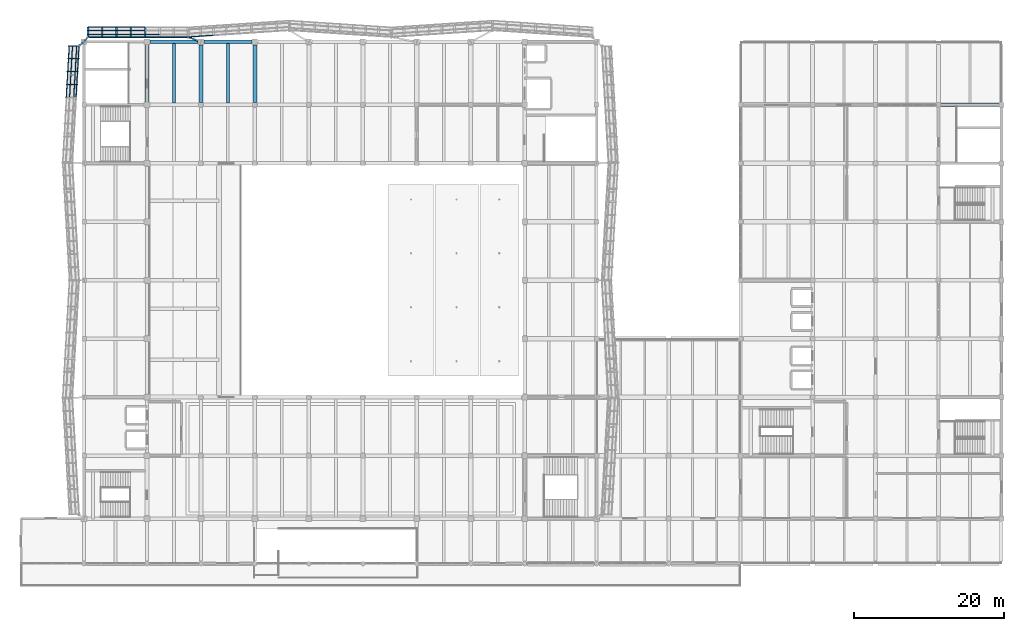
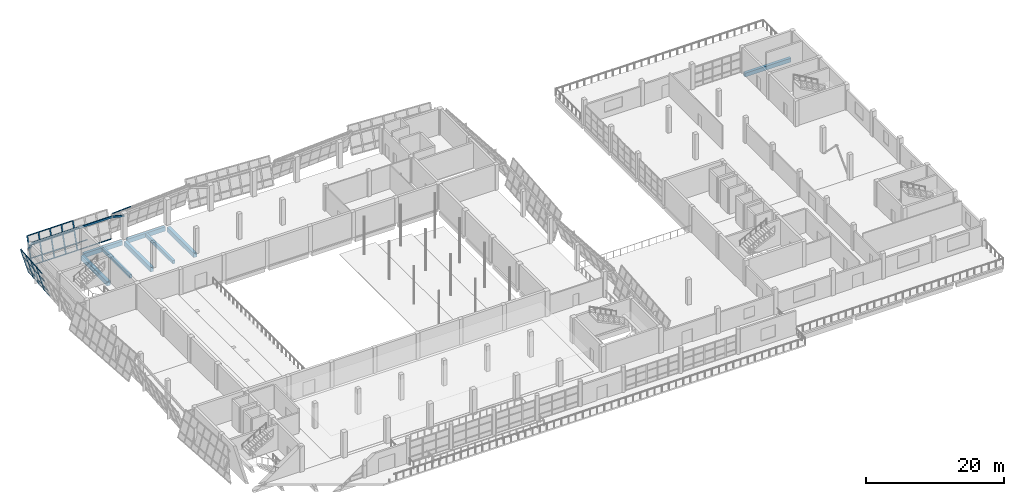
# One storey, part 32 of 71: 47 members, 12 beams, 3 elements without a shape of their own.
"""IFC4 building model written with IfcOpenShell, lengths in metres."""

from ifc_helpers import new_model, si_unit, direction, frame, origin, origin_2d, place, context, subcontext, project, spatial, rectangle, hollow_rectangle, extrude, material, material_profile, profile_set, type_object, element, aggregate, save


model = new_model("IFC4")

# Units and contexts
model_context = context("Model", 3, precision=1e-05, world=origin(), true_north=direction((0.0, 1.0)))
body_context = subcontext(model_context, "Body", "Model", "MODEL_VIEW")
ifc_project = project(units=[si_unit("LENGTHUNIT", "METRE"), si_unit("AREAUNIT", "SQUARE_METRE"), si_unit("VOLUMEUNIT", "CUBIC_METRE"), si_unit("PLANEANGLEUNIT", "RADIAN"), si_unit("MASSUNIT", "GRAM", prefix="KILO")], contexts=[model_context])

# Site, building, storey
site_placement = place(None, origin())
site = spatial("IfcSite", under=ifc_project, at=site_placement, CompositionType="ELEMENT")
building_placement = place(site_placement, origin())
building = spatial("IfcBuilding", under=site, at=building_placement, Name="Pellamere Symphony Hall", CompositionType="ELEMENT")
storey_placement = place(building_placement, frame((0.0, 0.0, 15.0)))
storey = spatial("IfcBuildingStorey", under=building, at=storey_placement, Name="L03", CompositionType="ELEMENT", Elevation=15.0)

# Curtain wall, members
ifc_material_1 = material(Name="Thermally Broken Anodised Aluminium 6063-T6 Curtain Wall", Category="aluminium")
curtain_wall_type = type_object("IfcCurtainWallType", Name="Curtain Wall CW-01 (Tilted Faceted Crystal Low-Iron Curtain Wall)", PredefinedType="NOTDEFINED", material=ifc_material_1)
curtain_wall_1_placement = place(storey_placement, origin())
curtain_wall_1 = element("IfcCurtainWall", 1, at=curtain_wall_1_placement, inside=storey, type_object=curtain_wall_type, Name="Crystal Faceted Curtain Wall CW-CR14 (L03)", PredefinedType="NOTDEFINED")
ifc_material_2 = material(Name="Anodised Architectural Aluminium 6063-T6", Category="aluminium")
ifc_material_profile_1 = material_profile(ifc_material_2, hollow_rectangle(XDim=0.074951171875, YDim=0.219970703125, WallThickness=0.0048828125, at=origin_2d()), Name="ALU-M75X220X5")
ifc_profile_set_1 = profile_set([ifc_material_profile_1], Name="Anodised Architectural Aluminium 6063-T6")
member_type_1 = type_object("IfcMemberType", Name="Curtain Wall Mullion ML-01 ALU-M75X220X5", PredefinedType="MULLION", material=ifc_profile_set_1)
member_1_placement = place(storey_placement, frame((58.55712890625, 94.25, 0.0), z_axis=(0.0, 0.284024567884, 0.95881700279), x_axis=(0.0, 0.95881700279, -0.284024567884)))
member_1 = element("IfcMember", 2, at=member_1_placement, type_object=member_type_1, Name="CW1-035 crystal mullion 4", PredefinedType="MULLION", context=body_context, shape_type="SweptSolid", body=[
    extrude(hollow_rectangle(XDim=0.074951171875, YDim=0.219970703125, WallThickness=0.0048828125, at=origin_2d()), origin(), (0.0, 0.0, 1.0), 4.693359375),
])
member_2_placement = place(storey_placement, frame((56.642822265625, 94.25, 0.0), z_axis=(0.0, 0.284024567884, 0.95881700279), x_axis=(0.0, 0.95881700279, -0.284024567884)))
member_2 = element("IfcMember", 3, at=member_2_placement, type_object=member_type_1, Name="CW1-035 crystal mullion 5", PredefinedType="MULLION", context=body_context, shape_type="SweptSolid", body=[
    extrude(hollow_rectangle(XDim=0.074951171875, YDim=0.219970703125, WallThickness=0.0048828125, at=origin_2d()), origin(), (0.0, 0.0, 1.0), 4.693359375),
])
member_3_placement = place(storey_placement, frame((54.728515625, 94.25, 0.0), z_axis=(0.0, 0.284024567884, 0.95881700279), x_axis=(0.0, 0.95881700279, -0.284024567884)))
member_3 = element("IfcMember", 4, at=member_3_placement, type_object=member_type_1, Name="CW1-035 crystal mullion 6", PredefinedType="MULLION", context=body_context, shape_type="SweptSolid", body=[
    extrude(hollow_rectangle(XDim=0.074951171875, YDim=0.219970703125, WallThickness=0.0048828125, at=origin_2d()), origin(), (0.0, 0.0, 1.0), 4.693359375),
])
member_4_placement = place(storey_placement, frame((52.814208984375, 94.25, 0.0), z_axis=(0.0, 0.284024567884, 0.95881700279), x_axis=(0.0, 0.95881700279, -0.284024567884)))
member_4 = element("IfcMember", 5, at=member_4_placement, type_object=member_type_1, Name="CW1-035 crystal mullion 7", PredefinedType="MULLION", context=body_context, shape_type="SweptSolid", body=[
    extrude(hollow_rectangle(XDim=0.074951171875, YDim=0.219970703125, WallThickness=0.0048828125, at=origin_2d()), origin(), (0.0, 0.0, 1.0), 4.693359375),
])
member_5_placement = place(storey_placement, frame((50.9375, 94.25, 0.0), z_axis=(0.0, 0.284024567884, 0.95881700279), x_axis=(0.0, 0.95881700279, -0.284024567884)))
member_5 = element("IfcMember", 6, at=member_5_placement, type_object=member_type_1, Name="CW1-035 crystal mullion 8", PredefinedType="MULLION", context=body_context, shape_type="SweptSolid", body=[
    extrude(hollow_rectangle(XDim=0.074951171875, YDim=0.219970703125, WallThickness=0.0048828125, at=origin_2d()), origin(), (0.0, 0.0, 1.0), 4.693359375),
])

curtain_wall_2_placement = place(storey_placement, origin())
curtain_wall_2 = element("IfcCurtainWall", 7, at=curtain_wall_2_placement, inside=storey, type_object=curtain_wall_type, Name="Crystal Faceted Curtain Wall CW-CR15 (L03)", PredefinedType="NOTDEFINED")
member_6_placement = place(storey_placement, frame((49.747802734375, 93.0625, 0.0), z_axis=(-0.284024567884, 0.0, 0.95881700279), x_axis=(-0.055224537145, -0.998339941676, -0.01635883099)))
member_6 = element("IfcMember", 8, at=member_6_placement, type_object=member_type_1, Name="CW1-040 crystal mullion 1", PredefinedType="MULLION", context=body_context, shape_type="SweptSolid", body=[
    extrude(hollow_rectangle(XDim=0.074951171875, YDim=0.219970703125, WallThickness=0.0048828125, at=origin_2d()), origin(), (0.0, 0.0, 1.0), 4.693359375),
])
member_7_placement = place(storey_placement, frame((49.64990234375, 91.36669921875, 0.0), z_axis=(-0.284024567884, 0.0, 0.95881700279), x_axis=(-0.055224537145, -0.998339941676, -0.01635883099)))
member_7 = element("IfcMember", 9, at=member_7_placement, type_object=member_type_1, Name="CW1-040 crystal mullion 2", PredefinedType="MULLION", context=body_context, shape_type="SweptSolid", body=[
    extrude(hollow_rectangle(XDim=0.074951171875, YDim=0.219970703125, WallThickness=0.0048828125, at=origin_2d()), origin(), (0.0, 0.0, 1.0), 4.693359375),
])
member_8_placement = place(storey_placement, frame((49.550048828125, 89.63330078125, 0.0), z_axis=(-0.284024567884, 0.0, 0.95881700279), x_axis=(-0.055224537145, -0.998339941676, -0.01635883099)))
member_8 = element("IfcMember", 10, at=member_8_placement, type_object=member_type_1, Name="CW1-040 crystal mullion 3", PredefinedType="MULLION", context=body_context, shape_type="SweptSolid", body=[
    extrude(hollow_rectangle(XDim=0.074951171875, YDim=0.219970703125, WallThickness=0.0048828125, at=origin_2d()), origin(), (0.0, 0.0, 1.0), 4.693359375),
])
member_9_placement = place(storey_placement, frame((49.449951171875, 87.89990234375, 0.0), z_axis=(-0.284024567884, 0.0, 0.95881700279), x_axis=(-0.055224537145, -0.998339941676, -0.01635883099)))
member_9 = element("IfcMember", 11, at=member_9_placement, type_object=member_type_1, Name="CW1-040 crystal mullion 4", PredefinedType="MULLION", context=body_context, shape_type="SweptSolid", body=[
    extrude(hollow_rectangle(XDim=0.074951171875, YDim=0.219970703125, WallThickness=0.0048828125, at=origin_2d()), origin(), (0.0, 0.0, 1.0), 4.693359375),
])

curtain_wall_3_placement = place(storey_placement, origin())
curtain_wall_3 = element("IfcCurtainWall", 12, at=curtain_wall_3_placement, inside=storey, type_object=curtain_wall_type, Name="Crystal Faceted Curtain Wall CW-CR13 (L03)", PredefinedType="NOTDEFINED")
ifc_material_profile_2 = material_profile(ifc_material_2, hollow_rectangle(XDim=0.074951171875, YDim=0.179931640625, WallThickness=0.0048828125, at=origin_2d()), Name="ALU-T75X180X5")
ifc_profile_set_2 = profile_set([ifc_material_profile_2], Name="Anodised Architectural Aluminium 6063-T6")
member_type_2 = type_object("IfcMemberType", Name="Curtain Wall Transom TR-01 ALU-T75X180X5", PredefinedType="USERDEFINED", material=ifc_profile_set_2)
member_10_placement = place(storey_placement, frame((67.6376953125, 94.483154296875, 4.464111328125), z_axis=(-0.997789166031, -0.066458860589, 0.0), x_axis=(0.066458860589, -0.997789166031, 0.0)))
member_10 = element("IfcMember", 13, at=member_10_placement, type_object=member_type_2, Name="CW1-032 crystal transom 7.4", ObjectType="TRANSOM", PredefinedType="USERDEFINED", context=body_context, shape_type="SweptSolid", body=[
    extrude(hollow_rectangle(XDim=0.074951171875, YDim=0.179931640625, WallThickness=0.0048828125, at=origin_2d()), origin(), (0.0, 0.0, 1.0), 1.616455078125),
])
member_11_placement = place(storey_placement, frame((65.9501953125, 94.37060546875, 4.464111328125), z_axis=(-0.99778720991, -0.066488222573, 0.0), x_axis=(0.066488222573, -0.99778720991, 0.0)))
member_11 = element("IfcMember", 14, at=member_11_placement, type_object=member_type_2, Name="CW1-032 crystal transom 8.4", ObjectType="TRANSOM", PredefinedType="USERDEFINED", context=body_context, shape_type="SweptSolid", body=[
    extrude(hollow_rectangle(XDim=0.074951171875, YDim=0.179931640625, WallThickness=0.0048828125, at=origin_2d()), origin(), (0.0, 0.0, 1.0), 1.578857421875),
])
aggregate(curtain_wall_3, [member_10, member_11])

# Member
member_12_placement = place(storey_placement, frame((64.22509765625, 94.2607421875, 0.035888671875), z_axis=(-1.0, 0.0, 0.0), x_axis=(0.0, -1.0, 0.0)))
member_12 = element("IfcMember", 15, at=member_12_placement, type_object=member_type_2, Name="CW1-035 crystal transom 1.1", ObjectType="TRANSOM", PredefinedType="USERDEFINED", context=body_context, shape_type="SweptSolid", body=[
    extrude(hollow_rectangle(XDim=0.074951171875, YDim=0.179931640625, WallThickness=0.0048828125, at=origin_2d()), origin(), (0.0, 0.0, 1.0), 1.802001953125),
])

member_13_placement = place(storey_placement, frame((62.34814453125, 94.2607421875, 0.035888671875), z_axis=(-1.0, 0.0, 0.0), x_axis=(0.0, -1.0, 0.0)))
member_13 = element("IfcMember", 16, at=member_13_placement, type_object=member_type_2, Name="CW1-035 crystal transom 2.1", ObjectType="TRANSOM", PredefinedType="USERDEFINED", context=body_context, shape_type="SweptSolid", body=[
    extrude(hollow_rectangle(XDim=0.074951171875, YDim=0.179931640625, WallThickness=0.0048828125, at=origin_2d()), origin(), (0.0, 0.0, 1.0), 1.839111328125),
])

member_14_placement = place(storey_placement, frame((60.433837890625, 94.2607421875, 0.035888671875), z_axis=(-1.0, 0.0, 0.0), x_axis=(0.0, -1.0, 0.0)))
member_14 = element("IfcMember", 17, at=member_14_placement, type_object=member_type_2, Name="CW1-035 crystal transom 3.1", ObjectType="TRANSOM", PredefinedType="USERDEFINED", context=body_context, shape_type="SweptSolid", body=[
    extrude(hollow_rectangle(XDim=0.074951171875, YDim=0.179931640625, WallThickness=0.0048828125, at=origin_2d()), origin(), (0.0, 0.0, 1.0), 1.839111328125),
])

member_15_placement = place(storey_placement, frame((60.433837890625, 94.56982421875, 1.080078125), z_axis=(-1.0, 0.0, 0.0), x_axis=(0.0, -1.0, 0.0)))
member_15 = element("IfcMember", 18, at=member_15_placement, type_object=member_type_2, Name="CW1-035 crystal transom 3.2", ObjectType="TRANSOM", PredefinedType="USERDEFINED", context=body_context, shape_type="SweptSolid", body=[
    extrude(hollow_rectangle(XDim=0.074951171875, YDim=0.179931640625, WallThickness=0.0048828125, at=origin_2d()), origin(), (0.0, 0.0, 1.0), 1.839111328125),
])

member_16_placement = place(storey_placement, frame((58.51953125, 94.2607421875, 0.035888671875), z_axis=(-1.0, 0.0, 0.0), x_axis=(0.0, -1.0, 0.0)))
member_16 = element("IfcMember", 19, at=member_16_placement, type_object=member_type_2, Name="CW1-035 crystal transom 4.1", ObjectType="TRANSOM", PredefinedType="USERDEFINED", context=body_context, shape_type="SweptSolid", body=[
    extrude(hollow_rectangle(XDim=0.074951171875, YDim=0.179931640625, WallThickness=0.0048828125, at=origin_2d()), origin(), (0.0, 0.0, 1.0), 1.839111328125),
])

member_17_placement = place(storey_placement, frame((58.51953125, 94.56982421875, 1.080078125), z_axis=(-1.0, 0.0, 0.0), x_axis=(0.0, -1.0, 0.0)))
member_17 = element("IfcMember", 20, at=member_17_placement, type_object=member_type_2, Name="CW1-035 crystal transom 4.2", ObjectType="TRANSOM", PredefinedType="USERDEFINED", context=body_context, shape_type="SweptSolid", body=[
    extrude(hollow_rectangle(XDim=0.074951171875, YDim=0.179931640625, WallThickness=0.0048828125, at=origin_2d()), origin(), (0.0, 0.0, 1.0), 1.839111328125),
])

member_18_placement = place(storey_placement, frame((58.51953125, 95.1298828125, 2.969970703125), z_axis=(-1.0, 0.0, 0.0), x_axis=(0.0, -1.0, 0.0)))
member_18 = element("IfcMember", 21, at=member_18_placement, type_object=member_type_2, Name="CW1-035 crystal transom 4.3", ObjectType="TRANSOM", PredefinedType="USERDEFINED", context=body_context, shape_type="SweptSolid", body=[
    extrude(hollow_rectangle(XDim=0.074951171875, YDim=0.179931640625, WallThickness=0.0048828125, at=origin_2d()), origin(), (0.0, 0.0, 1.0), 1.839111328125),
])

member_19_placement = place(storey_placement, frame((58.51953125, 95.572265625, 4.464111328125), z_axis=(-1.0, 0.0, 0.0), x_axis=(0.0, -1.0, 0.0)))
member_19 = element("IfcMember", 22, at=member_19_placement, type_object=member_type_2, Name="CW1-035 crystal transom 4.4", ObjectType="TRANSOM", PredefinedType="USERDEFINED", context=body_context, shape_type="SweptSolid", body=[
    extrude(hollow_rectangle(XDim=0.074951171875, YDim=0.179931640625, WallThickness=0.0048828125, at=origin_2d()), origin(), (0.0, 0.0, 1.0), 1.839111328125),
])

member_20_placement = place(storey_placement, frame((56.60546875, 94.2607421875, 0.035888671875), z_axis=(-1.0, 0.0, 0.0), x_axis=(0.0, -1.0, 0.0)))
member_20 = element("IfcMember", 23, at=member_20_placement, type_object=member_type_2, Name="CW1-035 crystal transom 5.1", ObjectType="TRANSOM", PredefinedType="USERDEFINED", context=body_context, shape_type="SweptSolid", body=[
    extrude(hollow_rectangle(XDim=0.074951171875, YDim=0.179931640625, WallThickness=0.0048828125, at=origin_2d()), origin(), (0.0, 0.0, 1.0), 1.83935546875),
])

member_21_placement = place(storey_placement, frame((56.60546875, 94.56982421875, 1.080078125), z_axis=(-1.0, 0.0, 0.0), x_axis=(0.0, -1.0, 0.0)))
member_21 = element("IfcMember", 24, at=member_21_placement, type_object=member_type_2, Name="CW1-035 crystal transom 5.2", ObjectType="TRANSOM", PredefinedType="USERDEFINED", context=body_context, shape_type="SweptSolid", body=[
    extrude(hollow_rectangle(XDim=0.074951171875, YDim=0.179931640625, WallThickness=0.0048828125, at=origin_2d()), origin(), (0.0, 0.0, 1.0), 1.83935546875),
])

member_22_placement = place(storey_placement, frame((56.60546875, 95.1298828125, 2.969970703125), z_axis=(-1.0, 0.0, 0.0), x_axis=(0.0, -1.0, 0.0)))
member_22 = element("IfcMember", 25, at=member_22_placement, type_object=member_type_2, Name="CW1-035 crystal transom 5.3", ObjectType="TRANSOM", PredefinedType="USERDEFINED", context=body_context, shape_type="SweptSolid", body=[
    extrude(hollow_rectangle(XDim=0.074951171875, YDim=0.179931640625, WallThickness=0.0048828125, at=origin_2d()), origin(), (0.0, 0.0, 1.0), 1.83935546875),
])

member_23_placement = place(storey_placement, frame((56.60546875, 95.572265625, 4.464111328125), z_axis=(-1.0, 0.0, 0.0), x_axis=(0.0, -1.0, 0.0)))
member_23 = element("IfcMember", 26, at=member_23_placement, type_object=member_type_2, Name="CW1-035 crystal transom 5.4", ObjectType="TRANSOM", PredefinedType="USERDEFINED", context=body_context, shape_type="SweptSolid", body=[
    extrude(hollow_rectangle(XDim=0.074951171875, YDim=0.179931640625, WallThickness=0.0048828125, at=origin_2d()), origin(), (0.0, 0.0, 1.0), 1.83935546875),
])

member_24_placement = place(storey_placement, frame((54.691162109375, 94.2607421875, 0.035888671875), z_axis=(-1.0, 0.0, 0.0), x_axis=(0.0, -1.0, 0.0)))
member_24 = element("IfcMember", 27, at=member_24_placement, type_object=member_type_2, Name="CW1-035 crystal transom 6.1", ObjectType="TRANSOM", PredefinedType="USERDEFINED", context=body_context, shape_type="SweptSolid", body=[
    extrude(hollow_rectangle(XDim=0.074951171875, YDim=0.179931640625, WallThickness=0.0048828125, at=origin_2d()), origin(), (0.0, 0.0, 1.0), 1.83935546875),
])

member_25_placement = place(storey_placement, frame((54.691162109375, 94.56982421875, 1.080078125), z_axis=(-1.0, 0.0, 0.0), x_axis=(0.0, -1.0, 0.0)))
member_25 = element("IfcMember", 28, at=member_25_placement, type_object=member_type_2, Name="CW1-035 crystal transom 6.2", ObjectType="TRANSOM", PredefinedType="USERDEFINED", context=body_context, shape_type="SweptSolid", body=[
    extrude(hollow_rectangle(XDim=0.074951171875, YDim=0.179931640625, WallThickness=0.0048828125, at=origin_2d()), origin(), (0.0, 0.0, 1.0), 1.83935546875),
])

member_26_placement = place(storey_placement, frame((54.691162109375, 95.1298828125, 2.969970703125), z_axis=(-1.0, 0.0, 0.0), x_axis=(0.0, -1.0, 0.0)))
member_26 = element("IfcMember", 29, at=member_26_placement, type_object=member_type_2, Name="CW1-035 crystal transom 6.3", ObjectType="TRANSOM", PredefinedType="USERDEFINED", context=body_context, shape_type="SweptSolid", body=[
    extrude(hollow_rectangle(XDim=0.074951171875, YDim=0.179931640625, WallThickness=0.0048828125, at=origin_2d()), origin(), (0.0, 0.0, 1.0), 1.83935546875),
])

member_27_placement = place(storey_placement, frame((54.691162109375, 95.572265625, 4.464111328125), z_axis=(-1.0, 0.0, 0.0), x_axis=(0.0, -1.0, 0.0)))
member_27 = element("IfcMember", 30, at=member_27_placement, type_object=member_type_2, Name="CW1-035 crystal transom 6.4", ObjectType="TRANSOM", PredefinedType="USERDEFINED", context=body_context, shape_type="SweptSolid", body=[
    extrude(hollow_rectangle(XDim=0.074951171875, YDim=0.179931640625, WallThickness=0.0048828125, at=origin_2d()), origin(), (0.0, 0.0, 1.0), 1.83935546875),
])

member_28_placement = place(storey_placement, frame((52.77685546875, 94.2607421875, 0.035888671875), z_axis=(-1.0, 0.0, 0.0), x_axis=(0.0, -1.0, 0.0)))
member_28 = element("IfcMember", 31, at=member_28_placement, type_object=member_type_2, Name="CW1-035 crystal transom 7.1", ObjectType="TRANSOM", PredefinedType="USERDEFINED", context=body_context, shape_type="SweptSolid", body=[
    extrude(hollow_rectangle(XDim=0.074951171875, YDim=0.179931640625, WallThickness=0.0048828125, at=origin_2d()), origin(), (0.0, 0.0, 1.0), 1.8017578125),
])

member_29_placement = place(storey_placement, frame((52.77685546875, 94.56982421875, 1.080078125), z_axis=(-1.0, 0.0, 0.0), x_axis=(0.0, -1.0, 0.0)))
member_29 = element("IfcMember", 32, at=member_29_placement, type_object=member_type_2, Name="CW1-035 crystal transom 7.2", ObjectType="TRANSOM", PredefinedType="USERDEFINED", context=body_context, shape_type="SweptSolid", body=[
    extrude(hollow_rectangle(XDim=0.074951171875, YDim=0.179931640625, WallThickness=0.0048828125, at=origin_2d()), origin(), (0.0, 0.0, 1.0), 1.8017578125),
])

member_30_placement = place(storey_placement, frame((52.77685546875, 95.1298828125, 2.969970703125), z_axis=(-1.0, 0.0, 0.0), x_axis=(0.0, -1.0, 0.0)))
member_30 = element("IfcMember", 33, at=member_30_placement, type_object=member_type_2, Name="CW1-035 crystal transom 7.3", ObjectType="TRANSOM", PredefinedType="USERDEFINED", context=body_context, shape_type="SweptSolid", body=[
    extrude(hollow_rectangle(XDim=0.074951171875, YDim=0.179931640625, WallThickness=0.0048828125, at=origin_2d()), origin(), (0.0, 0.0, 1.0), 1.8017578125),
])

member_31_placement = place(storey_placement, frame((52.77685546875, 95.572265625, 4.464111328125), z_axis=(-1.0, 0.0, 0.0), x_axis=(0.0, -1.0, 0.0)))
member_31 = element("IfcMember", 34, at=member_31_placement, type_object=member_type_2, Name="CW1-035 crystal transom 7.4", ObjectType="TRANSOM", PredefinedType="USERDEFINED", context=body_context, shape_type="SweptSolid", body=[
    extrude(hollow_rectangle(XDim=0.074951171875, YDim=0.179931640625, WallThickness=0.0048828125, at=origin_2d()), origin(), (0.0, 0.0, 1.0), 1.8017578125),
])

aggregate(curtain_wall_1, [member_1, member_2, member_3, member_4, member_5, member_12, member_13, member_14, member_15, member_16, member_17, member_18, member_19, member_20, member_21, member_22, member_23, member_24, member_25, member_26, member_27, member_28, member_29, member_30, member_31])

member_32_placement = place(storey_placement, frame((49.735107421875, 93.025146484375, 0.035888671875), z_axis=(-0.057585007883, -0.99834060664, 0.0), x_axis=(0.99834060664, -0.057585007883, 0.0)))
member_32 = element("IfcMember", 35, at=member_32_placement, type_object=member_type_2, Name="CW1-040 crystal transom 1.1", ObjectType="TRANSOM", PredefinedType="USERDEFINED", context=body_context, shape_type="SweptSolid", body=[
    extrude(hollow_rectangle(XDim=0.074951171875, YDim=0.179931640625, WallThickness=0.0048828125, at=origin_2d()), origin(), (0.0, 0.0, 1.0), 1.623779296875),
])

member_33_placement = place(storey_placement, frame((49.42578125, 93.025146484375, 1.080078125), z_axis=(-0.057585007883, -0.99834060664, 0.0), x_axis=(0.99834060664, -0.057585007883, 0.0)))
member_33 = element("IfcMember", 36, at=member_33_placement, type_object=member_type_2, Name="CW1-040 crystal transom 1.2", ObjectType="TRANSOM", PredefinedType="USERDEFINED", context=body_context, shape_type="SweptSolid", body=[
    extrude(hollow_rectangle(XDim=0.074951171875, YDim=0.179931640625, WallThickness=0.0048828125, at=origin_2d()), origin(), (0.0, 0.0, 1.0), 1.623779296875),
])

member_34_placement = place(storey_placement, frame((48.865966796875, 93.025146484375, 2.969970703125), z_axis=(-0.057585007883, -0.99834060664, 0.0), x_axis=(0.99834060664, -0.057585007883, 0.0)))
member_34 = element("IfcMember", 37, at=member_34_placement, type_object=member_type_2, Name="CW1-040 crystal transom 1.3", ObjectType="TRANSOM", PredefinedType="USERDEFINED", context=body_context, shape_type="SweptSolid", body=[
    extrude(hollow_rectangle(XDim=0.074951171875, YDim=0.179931640625, WallThickness=0.0048828125, at=origin_2d()), origin(), (0.0, 0.0, 1.0), 1.623779296875),
])

member_35_placement = place(storey_placement, frame((48.42333984375, 93.025146484375, 4.464111328125), z_axis=(-0.057585007883, -0.99834060664, 0.0), x_axis=(0.99834060664, -0.057585007883, 0.0)))
member_35 = element("IfcMember", 38, at=member_35_placement, type_object=member_type_2, Name="CW1-040 crystal transom 1.4", ObjectType="TRANSOM", PredefinedType="USERDEFINED", context=body_context, shape_type="SweptSolid", body=[
    extrude(hollow_rectangle(XDim=0.074951171875, YDim=0.179931640625, WallThickness=0.0048828125, at=origin_2d()), origin(), (0.0, 0.0, 1.0), 1.623779296875),
])

member_36_placement = place(storey_placement, frame((49.63720703125, 91.329345703125, 0.035888671875), z_axis=(-0.057602168051, -0.998339616682, 0.0), x_axis=(0.998339616682, -0.057602168051, 0.0)))
member_36 = element("IfcMember", 39, at=member_36_placement, type_object=member_type_2, Name="CW1-040 crystal transom 2.1", ObjectType="TRANSOM", PredefinedType="USERDEFINED", context=body_context, shape_type="SweptSolid", body=[
    extrude(hollow_rectangle(XDim=0.074951171875, YDim=0.179931640625, WallThickness=0.0048828125, at=origin_2d()), origin(), (0.0, 0.0, 1.0), 1.661376953125),
])

member_37_placement = place(storey_placement, frame((49.327880859375, 91.329345703125, 1.080078125), z_axis=(-0.057602168051, -0.998339616682, 0.0), x_axis=(0.998339616682, -0.057602168051, 0.0)))
member_37 = element("IfcMember", 40, at=member_37_placement, type_object=member_type_2, Name="CW1-040 crystal transom 2.2", ObjectType="TRANSOM", PredefinedType="USERDEFINED", context=body_context, shape_type="SweptSolid", body=[
    extrude(hollow_rectangle(XDim=0.074951171875, YDim=0.179931640625, WallThickness=0.0048828125, at=origin_2d()), origin(), (0.0, 0.0, 1.0), 1.661376953125),
])

member_38_placement = place(storey_placement, frame((48.76806640625, 91.329345703125, 2.969970703125), z_axis=(-0.057602168051, -0.998339616682, 0.0), x_axis=(0.998339616682, -0.057602168051, 0.0)))
member_38 = element("IfcMember", 41, at=member_38_placement, type_object=member_type_2, Name="CW1-040 crystal transom 2.3", ObjectType="TRANSOM", PredefinedType="USERDEFINED", context=body_context, shape_type="SweptSolid", body=[
    extrude(hollow_rectangle(XDim=0.074951171875, YDim=0.179931640625, WallThickness=0.0048828125, at=origin_2d()), origin(), (0.0, 0.0, 1.0), 1.661376953125),
])

member_39_placement = place(storey_placement, frame((48.325439453125, 91.329345703125, 4.464111328125), z_axis=(-0.057602168051, -0.998339616682, 0.0), x_axis=(0.998339616682, -0.057602168051, 0.0)))
member_39 = element("IfcMember", 42, at=member_39_placement, type_object=member_type_2, Name="CW1-040 crystal transom 2.4", ObjectType="TRANSOM", PredefinedType="USERDEFINED", context=body_context, shape_type="SweptSolid", body=[
    extrude(hollow_rectangle(XDim=0.074951171875, YDim=0.179931640625, WallThickness=0.0048828125, at=origin_2d()), origin(), (0.0, 0.0, 1.0), 1.661376953125),
])

member_40_placement = place(storey_placement, frame((49.537109375, 89.595947265625, 0.035888671875), z_axis=(-0.057610619545, -0.998339129012, 0.0), x_axis=(0.998339129012, -0.057610619545, 0.0)))
member_40 = element("IfcMember", 43, at=member_40_placement, type_object=member_type_2, Name="CW1-040 crystal transom 3.1", ObjectType="TRANSOM", PredefinedType="USERDEFINED", context=body_context, shape_type="SweptSolid", body=[
    extrude(hollow_rectangle(XDim=0.074951171875, YDim=0.179931640625, WallThickness=0.0048828125, at=origin_2d()), origin(), (0.0, 0.0, 1.0), 1.6611328125),
])

member_41_placement = place(storey_placement, frame((49.22802734375, 89.595947265625, 1.080078125), z_axis=(-0.057610619545, -0.998339129012, 0.0), x_axis=(0.998339129012, -0.057610619545, 0.0)))
member_41 = element("IfcMember", 44, at=member_41_placement, type_object=member_type_2, Name="CW1-040 crystal transom 3.2", ObjectType="TRANSOM", PredefinedType="USERDEFINED", context=body_context, shape_type="SweptSolid", body=[
    extrude(hollow_rectangle(XDim=0.074951171875, YDim=0.179931640625, WallThickness=0.0048828125, at=origin_2d()), origin(), (0.0, 0.0, 1.0), 1.6611328125),
])

member_42_placement = place(storey_placement, frame((48.66796875, 89.595947265625, 2.969970703125), z_axis=(-0.057610619545, -0.998339129012, 0.0), x_axis=(0.998339129012, -0.057610619545, 0.0)))
member_42 = element("IfcMember", 45, at=member_42_placement, type_object=member_type_2, Name="CW1-040 crystal transom 3.3", ObjectType="TRANSOM", PredefinedType="USERDEFINED", context=body_context, shape_type="SweptSolid", body=[
    extrude(hollow_rectangle(XDim=0.074951171875, YDim=0.179931640625, WallThickness=0.0048828125, at=origin_2d()), origin(), (0.0, 0.0, 1.0), 1.6611328125),
])

member_43_placement = place(storey_placement, frame((48.2255859375, 89.595947265625, 4.464111328125), z_axis=(-0.057610619545, -0.998339129012, 0.0), x_axis=(0.998339129012, -0.057610619545, 0.0)))
member_43 = element("IfcMember", 46, at=member_43_placement, type_object=member_type_2, Name="CW1-040 crystal transom 3.4", ObjectType="TRANSOM", PredefinedType="USERDEFINED", context=body_context, shape_type="SweptSolid", body=[
    extrude(hollow_rectangle(XDim=0.074951171875, YDim=0.179931640625, WallThickness=0.0048828125, at=origin_2d()), origin(), (0.0, 0.0, 1.0), 1.6611328125),
])

member_44_placement = place(storey_placement, frame((49.437255859375, 87.862548828125, 0.035888671875), z_axis=(-0.057610619545, -0.998339129012, 0.0), x_axis=(0.998339129012, -0.057610619545, 0.0)))
member_44 = element("IfcMember", 47, at=member_44_placement, type_object=member_type_2, Name="CW1-040 crystal transom 4.1", ObjectType="TRANSOM", PredefinedType="USERDEFINED", context=body_context, shape_type="SweptSolid", body=[
    extrude(hollow_rectangle(XDim=0.074951171875, YDim=0.179931640625, WallThickness=0.0048828125, at=origin_2d()), origin(), (0.0, 0.0, 1.0), 1.6611328125),
])

member_45_placement = place(storey_placement, frame((49.1279296875, 87.862548828125, 1.080078125), z_axis=(-0.057610619545, -0.998339129012, 0.0), x_axis=(0.998339129012, -0.057610619545, 0.0)))
member_45 = element("IfcMember", 48, at=member_45_placement, type_object=member_type_2, Name="CW1-040 crystal transom 4.2", ObjectType="TRANSOM", PredefinedType="USERDEFINED", context=body_context, shape_type="SweptSolid", body=[
    extrude(hollow_rectangle(XDim=0.074951171875, YDim=0.179931640625, WallThickness=0.0048828125, at=origin_2d()), origin(), (0.0, 0.0, 1.0), 1.6611328125),
])

member_46_placement = place(storey_placement, frame((48.568115234375, 87.862548828125, 2.969970703125), z_axis=(-0.057610619545, -0.998339129012, 0.0), x_axis=(0.998339129012, -0.057610619545, 0.0)))
member_46 = element("IfcMember", 49, at=member_46_placement, type_object=member_type_2, Name="CW1-040 crystal transom 4.3", ObjectType="TRANSOM", PredefinedType="USERDEFINED", context=body_context, shape_type="SweptSolid", body=[
    extrude(hollow_rectangle(XDim=0.074951171875, YDim=0.179931640625, WallThickness=0.0048828125, at=origin_2d()), origin(), (0.0, 0.0, 1.0), 1.6611328125),
])

member_47_placement = place(storey_placement, frame((48.12548828125, 87.862548828125, 4.464111328125), z_axis=(-0.057610619545, -0.998339129012, 0.0), x_axis=(0.998339129012, -0.057610619545, 0.0)))
member_47 = element("IfcMember", 50, at=member_47_placement, type_object=member_type_2, Name="CW1-040 crystal transom 4.4", ObjectType="TRANSOM", PredefinedType="USERDEFINED", context=body_context, shape_type="SweptSolid", body=[
    extrude(hollow_rectangle(XDim=0.074951171875, YDim=0.179931640625, WallThickness=0.0048828125, at=origin_2d()), origin(), (0.0, 0.0, 1.0), 1.6611328125),
])

aggregate(curtain_wall_2, [member_6, member_7, member_8, member_9, member_32, member_33, member_34, member_35, member_36, member_37, member_38, member_39, member_40, member_41, member_42, member_43, member_44, member_45, member_46, member_47])

# Beams
ifc_material_3 = material(Name="Concrete 40 MPa", Category="concrete")
ifc_material_profile_3 = material_profile(ifc_material_3, rectangle(XDim=0.550048828125, YDim=0.800048828125, at=origin_2d()), Name="RC 550x800")
ifc_profile_set_3 = profile_set([ifc_material_profile_3], Name="Concrete 40 MPa")
beam_type_1 = type_object("IfcBeamType", Name="RC CB-05 550x800", PredefinedType="BEAM", material=ifc_profile_set_3)
beam_1_placement = place(storey_placement, frame((58.800048828125, 85.60009765625, -0.659912109375), z_axis=(0.0, 1.0, 0.0), x_axis=(-1.0, 0.0, 0.0)))
element("IfcBeam", 51, at=beam_1_placement, inside=storey, type_object=beam_type_1, Name="Girder CB-05-Y1620 (L03)", PredefinedType="BEAM", context=body_context, shape_type="SweptSolid", body=[
    extrude(rectangle(XDim=0.550048828125, YDim=0.800048828125, at=origin_2d()), origin(), (0.0, 0.0, 1.0), 7.599853515625),
])
for number, where, z_axis, x_axis, name in (
    (52, (66.0, 85.52490234375, -0.659912109375), (0.0, 1.0, 0.0), (-1.0, 0.0, 0.0), "Girder CB-05-Y1625 (L03)"),
    (53, (73.199951171875, 85.52490234375, -0.659912109375), (0.0, 1.0, 0.0), (-1.0, 0.0, 0.0), "Girder CB-05-Y1630 (L03)"),
):
    element("IfcBeam", number, at=place(storey_placement, frame(where, z_axis=z_axis, x_axis=x_axis)), inside=storey, type_object=beam_type_1, Name=name, PredefinedType="BEAM", context=body_context, shape_type="SweptSolid", body=[
        extrude(rectangle(XDim=0.550048828125, YDim=0.800048828125, at=origin_2d()), origin(), (0.0, 0.0, 1.0), 7.675048828125),
    ])
ifc_material_profile_4 = material_profile(ifc_material_3, rectangle(XDim=0.39990234375, YDim=0.60009765625, at=origin_2d()), Name="RC 400x600")
ifc_profile_set_4 = profile_set([ifc_material_profile_4], Name="Concrete 40 MPa")
beam_type_2 = type_object("IfcBeamType", Name="RC CB-09 400x600", PredefinedType="BEAM", material=ifc_profile_set_4)
for number, where, z_axis, x_axis, name in (
    (54, (62.39990234375, 85.43994140625, -0.574951171875), (0.0, 1.0, 0.0), (-1.0, 0.0, 0.0), "Secondary Floor Beam CB-09-M0711 (L03)"),
    (55, (69.60009765625, 85.43994140625, -0.574951171875), (0.0, 1.0, 0.0), (-1.0, 0.0, 0.0), "Secondary Floor Beam CB-09-M0811 (L03)"),
):
    element("IfcBeam", number, at=place(storey_placement, frame(where, z_axis=z_axis, x_axis=x_axis)), inside=storey, type_object=beam_type_2, Name=name, PredefinedType="BEAM", context=body_context, shape_type="SweptSolid", body=[
        extrude(rectangle(XDim=0.39990234375, YDim=0.60009765625, at=origin_2d()), origin(), (0.0, 0.0, 1.0), 7.93505859375),
    ])
ifc_material_profile_5 = material_profile(ifc_material_3, rectangle(XDim=0.449951171875, YDim=0.75, at=origin_2d()), Name="RC 450x750")
ifc_profile_set_5 = profile_set([ifc_material_profile_5], Name="Concrete 40 MPa")
beam_type_3 = type_object("IfcBeamType", Name="RC CB-12 450x750", PredefinedType="SPANDREL", material=ifc_profile_set_5)
for number, where, z_axis, x_axis, name in (
    (56, (59.199951171875, 93.60009765625, -0.635009765625), (1.0, 0.0, 0.0), (0.0, 1.0, 0.0), "Girder CB-12-X1594 (L03)"),
    (57, (66.39990234375, 93.60009765625, -0.635009765625), (1.0, 0.0, 0.0), (0.0, 1.0, 0.0), "Girder CB-12-X1595 (L03)"),
):
    element("IfcBeam", number, at=place(storey_placement, frame(where, z_axis=z_axis, x_axis=x_axis)), inside=storey, type_object=beam_type_3, Name=name, PredefinedType="SPANDREL", context=body_context, shape_type="SweptSolid", body=[
        extrude(rectangle(XDim=0.449951171875, YDim=0.75, at=origin_2d()), origin(), (0.0, 0.0, 1.0), 6.400146484375),
    ])
ifc_material_profile_6 = material_profile(ifc_material_3, rectangle(XDim=0.47998046875, YDim=0.679931640625, at=origin_2d()), Name="RC 480x680")
ifc_profile_set_6 = profile_set([ifc_material_profile_6], Name="Concrete 40 MPa")
beam_type_4 = type_object("IfcBeamType", Name="RC CB-19 480x680", PredefinedType="BEAM", material=ifc_profile_set_6)
beam_2_placement = place(storey_placement, frame((164.72509765625, 85.199951171875, -0.60009765625), z_axis=(1.0, 0.0, 0.0), x_axis=(0.0, 1.0, 0.0)))
element("IfcBeam", 58, at=beam_2_placement, inside=storey, type_object=beam_type_4, Name="Girder CB-19-X1593 (L03)", PredefinedType="BEAM", context=body_context, shape_type="SweptSolid", body=[
    extrude(rectangle(XDim=0.47998046875, YDim=0.679931640625, at=origin_2d()), origin(), (0.0, 0.0, 1.0), 7.71484375),
])
ifc_material_4 = material(Name="Steel CSA G40.21 350W", Category="steel")
ifc_material_profile_7 = material_profile(ifc_material_4, hollow_rectangle(XDim=0.203125, YDim=0.3046875, WallThickness=0.0126953125, at=origin_2d()), Name="HSS305X203X13")
ifc_profile_set_7 = profile_set([ifc_material_profile_7], Name="Steel CSA G40.21 350W")
beam_type_5 = type_object("IfcBeamType", Name="Steel Spandrel SB-26 HSS305X203X13", PredefinedType="SPANDREL", material=ifc_profile_set_7)
beam_3_placement = place(storey_placement, frame((66.0, 93.60009765625, 3.93994140625), z_axis=(-0.934066311847, 0.357099601054, 0.0), x_axis=(-0.357099601054, -0.934066311847, 0.0)))
element("IfcBeam", 59, at=beam_3_placement, inside=storey, type_object=beam_type_5, Name="Crystal Ring Outrigger Bracket 072 (L03)", PredefinedType="SPANDREL", context=body_context, shape_type="SweptSolid", body=[
    extrude(hollow_rectangle(XDim=0.203125, YDim=0.3046875, WallThickness=0.0126953125, at=origin_2d()), origin(), (0.0, 0.0, 1.0), 1.820068359375),
])
beam_4_placement = place(storey_placement, frame((64.300048828125, 94.25, 3.93994140625), z_axis=(-1.0, 0.0, 0.0), x_axis=(0.0, -1.0, 0.0)))
element("IfcBeam", 60, at=beam_4_placement, inside=storey, type_object=beam_type_5, Name="Crystal Perimeter Ring Beam CW-CR14 (L03)", PredefinedType="SPANDREL", context=body_context, shape_type="SweptSolid", body=[
    extrude(hollow_rectangle(XDim=0.203125, YDim=0.3046875, WallThickness=0.0126953125, at=origin_2d()), origin(), (0.0, 0.0, 1.0), 13.400146484375),
])
for number, where, z_axis, x_axis, name in (
    (61, (50.39990234375, 93.60009765625, 3.93994140625), (0.609768314627, 0.792579713642, 0.0), (-0.792579713642, 0.609768314627, 0.0), "Crystal Ring Outrigger Bracket 078 (L03)"),
    (62, (50.39990234375, 93.60009765625, 3.93994140625), (-0.792579713642, -0.609768314627, 0.0), (0.609768314627, -0.792579713642, 0.0), "Crystal Ring Outrigger Bracket 091 (L03)"),
):
    element("IfcBeam", number, at=place(storey_placement, frame(where, z_axis=z_axis, x_axis=x_axis)), inside=storey, type_object=beam_type_5, Name=name, PredefinedType="SPANDREL", context=body_context, shape_type="SweptSolid", body=[
        extrude(hollow_rectangle(XDim=0.203125, YDim=0.3046875, WallThickness=0.0126953125, at=origin_2d()), origin(), (0.0, 0.0, 1.0), 0.820068359375),
    ])

save(model, "model.ifc")
